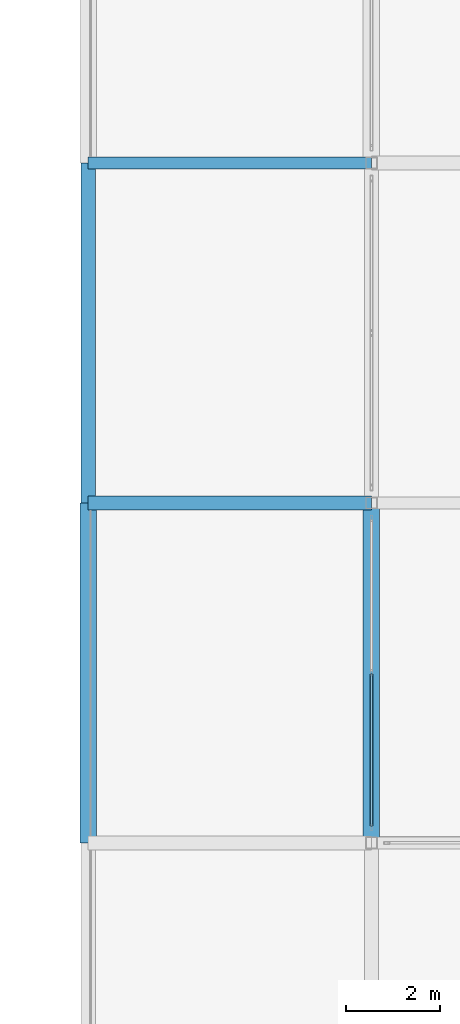
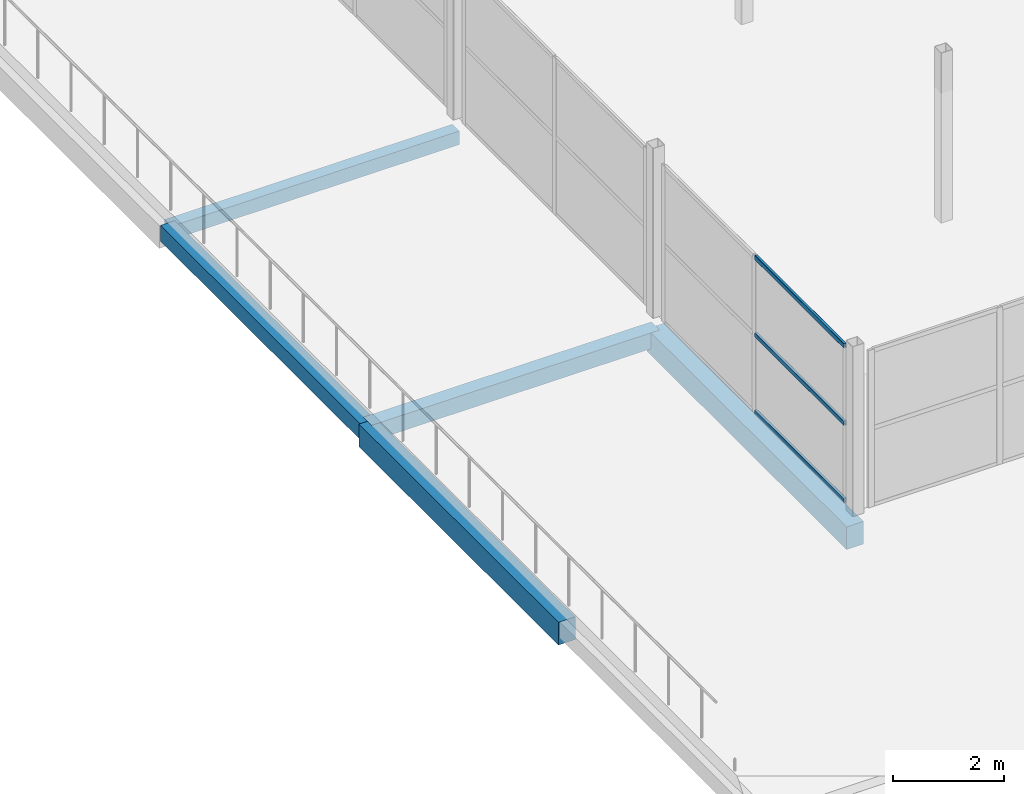
# One storey, part 30 of 239: 5 beams, 3 members, 1 element without a shape of its own.
"""IFC4 building model written with IfcOpenShell, lengths in metres."""

from ifc_helpers import new_model, si_unit, direction, frame, origin, origin_2d, place, context, subcontext, project, spatial, rectangle, hollow_rectangle, extrude, material, layer, layer_set, material_profile, profile_set, type_object, element, aggregate, save


model = new_model("IFC4")

# Units and contexts
model_context = context("Model", 3, precision=1e-05, world=origin(), true_north=direction((0.0, 1.0)))
body_context = subcontext(model_context, "Body", "Model", "MODEL_VIEW")
ifc_project = project(units=[si_unit("LENGTHUNIT", "METRE"), si_unit("AREAUNIT", "SQUARE_METRE"), si_unit("VOLUMEUNIT", "CUBIC_METRE"), si_unit("PLANEANGLEUNIT", "RADIAN"), si_unit("MASSUNIT", "GRAM", prefix="KILO")], contexts=[model_context])

# Site, building, storey
site_placement = place(None, origin())
site = spatial("IfcSite", under=ifc_project, at=site_placement, CompositionType="ELEMENT")
building_placement = place(site_placement, origin())
building = spatial("IfcBuilding", under=site, at=building_placement, Name="Dunvalen Ferry Terminal", CompositionType="ELEMENT")
storey_placement = place(building_placement, frame((0.0, 0.0, 9.840087890625)))
storey = spatial("IfcBuildingStorey", under=building, at=storey_placement, Name="L02", CompositionType="ELEMENT", Elevation=9.840087890625)

# Curtain wall, members
ifc_material_1 = material(Name="Anodised marine aluminium and solar-control glazing", Category="aluminium")
ifc_layer = layer(ifc_material_1, 0.159912109375, Name="Anodised marine aluminium and solar-control glazing")
ifc_layer_set = layer_set([ifc_layer], Name="Anodised marine aluminium and solar-control glazing")
curtain_wall_type = type_object("IfcCurtainWallType", Name="ENV-CW-SYS-10", PredefinedType="NOTDEFINED", material=ifc_layer_set)
curtain_wall_placement = place(storey_placement, origin())
curtain_wall = element("IfcCurtainWall", 1, at=curtain_wall_placement, inside=storey, type_object=curtain_wall_type, Name="L02 Curtain Wall CW-PAV-W-1", PredefinedType="NOTDEFINED")
ifc_material_2 = material(Name="Anodised marine aluminium EN AW-6063 T6", Category="aluminium")
ifc_material_profile_1 = material_profile(ifc_material_2, hollow_rectangle(XDim=0.054931640625, YDim=0.10009765625, WallThickness=0.0029296875, InnerFilletRadius=0.0029296875, OuterFilletRadius=0.006103515625, at=origin_2d()), Name="Anodised marine aluminium EN AW-6063 T6")
ifc_profile_set_1 = profile_set([ifc_material_profile_1], Name="Anodised marine aluminium EN AW-6063 T6")
member_type = type_object("IfcMemberType", Name="ENV-CW-TRN-4", PredefinedType="USERDEFINED", material=ifc_profile_set_1)
member_1_placement = place(storey_placement, frame((114.0, 14.7548828125, 0.02734375), z_axis=(0.0, 1.0, 0.0), x_axis=(-1.0, 0.0, 0.0)))
member_1 = element("IfcMember", 2, at=member_1_placement, type_object=member_type, Name="CW-10 transom 1.1", ObjectType="TRANSOM", PredefinedType="USERDEFINED", context=body_context, shape_type="SweptSolid", body=[
    extrude(hollow_rectangle(XDim=0.054931640625, YDim=0.10009765625, WallThickness=0.0029296875, InnerFilletRadius=0.0029296875, OuterFilletRadius=0.006103515625, at=origin_2d()), origin(), (0.0, 0.0, 1.0), 3.217529296875),
])
member_2_placement = place(storey_placement, frame((114.0, 14.7548828125, 1.72998046875), z_axis=(0.0, 1.0, 0.0), x_axis=(-1.0, 0.0, 0.0)))
member_2 = element("IfcMember", 3, at=member_2_placement, type_object=member_type, Name="CW-10 transom 1.2", ObjectType="TRANSOM", PredefinedType="USERDEFINED", context=body_context, shape_type="SweptSolid", body=[
    extrude(hollow_rectangle(XDim=0.054931640625, YDim=0.10009765625, WallThickness=0.0029296875, InnerFilletRadius=0.0029296875, OuterFilletRadius=0.006103515625, at=origin_2d()), origin(), (0.0, 0.0, 1.0), 3.217529296875),
])
member_3_placement = place(storey_placement, frame((114.0, 14.7548828125, 3.432373046875), z_axis=(0.0, 1.0, 0.0), x_axis=(-1.0, 0.0, 0.0)))
member_3 = element("IfcMember", 4, at=member_3_placement, type_object=member_type, Name="CW-10 transom 1.3", ObjectType="TRANSOM", PredefinedType="USERDEFINED", context=body_context, shape_type="SweptSolid", body=[
    extrude(hollow_rectangle(XDim=0.054931640625, YDim=0.10009765625, WallThickness=0.0029296875, InnerFilletRadius=0.0029296875, OuterFilletRadius=0.006103515625, at=origin_2d()), origin(), (0.0, 0.0, 1.0), 3.217529296875),
])
aggregate(curtain_wall, [member_1, member_2, member_3])

# Beams
ifc_material_3 = material(Name="Concrete C35/45", Category="concrete")
ifc_material_profile_2 = material_profile(ifc_material_3, rectangle(XDim=0.35009765625, YDim=0.5, at=origin_2d()), Name="Concrete C35/45")
ifc_profile_set_2 = profile_set([ifc_material_profile_2], Name="Concrete C35/45")
beam_type_1 = type_object("IfcBeamType", Name="STR-BM-RCB500W", PredefinedType="JOIST", material=ifc_profile_set_2)
for number, where, z_axis, x_axis, name in (
    (5, (108.0, 14.39990234375, -0.530029296875), (0.0, 1.0, 0.0), (-1.0, 0.0, 0.0), "L02 V4 Primary Girder Y-065"),
    (6, (114.0, 14.39990234375, -0.530029296875), (0.0, 1.0, 0.0), (-1.0, 0.0, 0.0), "L02 V4 Primary Girder Y-071"),
):
    element("IfcBeam", number, at=place(storey_placement, frame(where, z_axis=z_axis, x_axis=x_axis)), inside=storey, type_object=beam_type_1, Name=name, PredefinedType="JOIST", context=body_context, shape_type="SweptSolid", body=[
        extrude(rectangle(XDim=0.35009765625, YDim=0.5, at=origin_2d()), origin(), (0.0, 0.0, 1.0), 7.2001953125),
    ])
ifc_material_profile_3 = material_profile(ifc_material_3, rectangle(XDim=0.25, YDim=0.300048828125, at=origin_2d()), Name="Concrete C35/45")
ifc_profile_set_3 = profile_set([ifc_material_profile_3], Name="Concrete C35/45")
beam_type_2 = type_object("IfcBeamType", Name="STR-BM-RCL300", PredefinedType="LINTEL", material=ifc_profile_set_3)
beam_1_placement = place(storey_placement, frame((108.0, 28.800048828125, -0.43017578125), z_axis=(1.0, 0.0, 0.0), x_axis=(0.0, 1.0, 0.0)))
element("IfcBeam", 7, at=beam_1_placement, inside=storey, type_object=beam_type_2, Name="L02 V4 Primary Beam X-037", PredefinedType="LINTEL", context=body_context, shape_type="SweptSolid", body=[
    extrude(rectangle(XDim=0.25, YDim=0.300048828125, at=origin_2d()), origin(), (0.0, 0.0, 1.0), 6.0),
])
ifc_material_4 = material(Name="Concrete C40/50", Category="concrete")
ifc_material_profile_4 = material_profile(ifc_material_4, rectangle(XDim=0.300048828125, YDim=0.35009765625, at=origin_2d()), Name="Concrete C40/50")
ifc_profile_set_4 = profile_set([ifc_material_profile_4], Name="Concrete C40/50")
beam_type_3 = type_object("IfcBeamType", Name="STR-BM-RCL350", PredefinedType="LINTEL", material=ifc_profile_set_4)
beam_2_placement = place(storey_placement, frame((108.0, 21.60009765625, -0.455078125), z_axis=(1.0, 0.0, 0.0), x_axis=(0.0, 1.0, 0.0)))
element("IfcBeam", 8, at=beam_2_placement, inside=storey, type_object=beam_type_3, Name="L02 V4 Primary Beam X-028", PredefinedType="LINTEL", context=body_context, shape_type="SweptSolid", body=[
    extrude(rectangle(XDim=0.300048828125, YDim=0.35009765625, at=origin_2d()), origin(), (0.0, 0.0, 1.0), 6.0),
])
beam_3_placement = place(storey_placement, frame((108.0, 21.60009765625, -0.455078125), z_axis=(0.0, 1.0, 0.0), x_axis=(-1.0, 0.0, 0.0)))
element("IfcBeam", 9, at=beam_3_placement, inside=storey, type_object=beam_type_3, Name="L02 V4 Primary Girder Y-066", PredefinedType="LINTEL", context=body_context, shape_type="SweptSolid", body=[
    extrude(rectangle(XDim=0.300048828125, YDim=0.35009765625, at=origin_2d()), origin(), (0.0, 0.0, 1.0), 7.199951171875),
])

save(model, "model.ifc")
